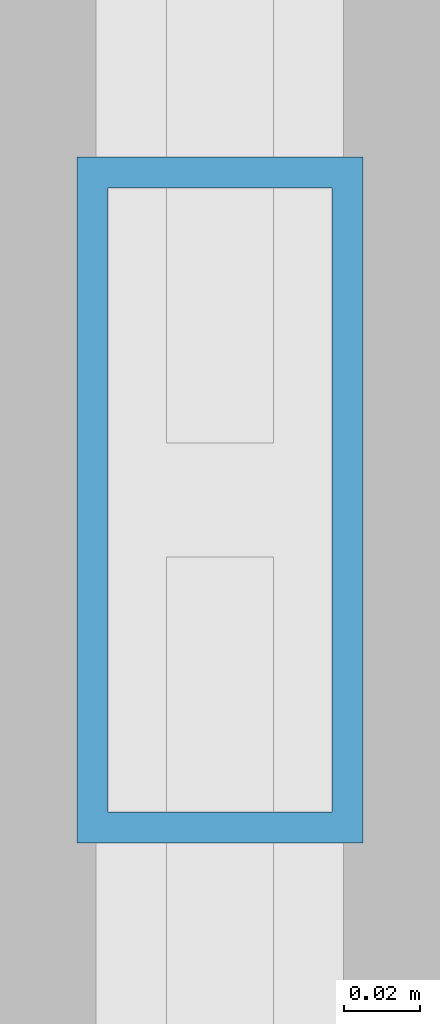
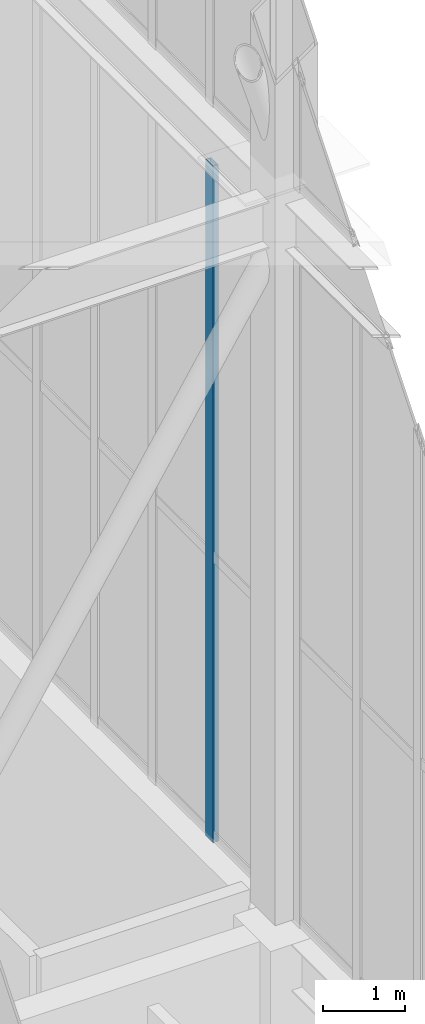
# One storey, part 94 of 135: 1 member, 1 element without a shape of its own.
"""IFC4 building model written with IfcOpenShell, lengths in metres."""

import ifcopenshell
import ifcopenshell.guid

model = None  # the IFC model being written
_history = None  # IfcOwnerHistory: only IFC2X3 demands one
_inside = {}  # id of a spatial element -> (the spatial element, [elements in it])
_under = {}  # id of a project, library or spatial element -> (it, [spatial elements below it])
_declared = {}  # id of a project -> (the project, [libraries it declares])
_typed = {}  # id of a type object -> (the type object, [elements of that type])
_made_of = {}  # id of a material, layer set ... -> (it, [elements and type objects made of it])


def new_model(schema):
    """Start an empty IFC model of exactly this schema.

    Asked for "IFC4X3", IfcOpenShell would pick the latest addendum, in which some entities
    have other attributes; the version numbers below select the first issue.
    IFC2X3 requires an IfcOwnerHistory on every rooted entity: one is made here for all.
    """
    global model, _history
    if schema == "IFC4X3":
        model = ifcopenshell.file(schema_version=(4, 3, 0, 0))
    else:
        model = ifcopenshell.file(schema=schema)
    _inside.clear()
    _under.clear()
    _declared.clear()
    _typed.clear()
    _made_of.clear()
    _history = None
    if model.schema == "IFC2X3":
        org = make("IfcOrganization", Name="unknown")
        user = make(
            "IfcPersonAndOrganization",
            ThePerson=make("IfcPerson", FamilyName="unknown"),
            TheOrganization=org,
        )
        app = make(
            "IfcApplication",
            ApplicationDeveloper=org,
            Version="unknown",
            ApplicationFullName="unknown",
            ApplicationIdentifier="unknown",
        )
        _history = make(
            "IfcOwnerHistory",
            OwningUser=user,
            OwningApplication=app,
            ChangeAction="ADDED",
            CreationDate=0,
        )
    return model


def make(cls, **values):
    """One entity of the class cls with the attributes given. An attribute that is None is left unset."""
    return model.create_entity(
        cls, **{name: value for name, value in values.items() if value is not None}
    )


def rooted(cls, **values):
    """An entity with a GlobalId (a new one), such as an element, a storey or a relation."""
    return make(cls, GlobalId=ifcopenshell.guid.new(), OwnerHistory=_history, **values)


def si_unit(unit_type, name, prefix=None):
    """IfcSIUnit, for example si_unit("LENGTHUNIT", "METRE", prefix="MILLI")."""
    return make("IfcSIUnit", UnitType=unit_type, Prefix=prefix, Name=name)


def assignment(units):
    """IfcUnitAssignment: the units of a project."""
    return None if units is None else make("IfcUnitAssignment", Units=units)


def point(xyz):
    """IfcCartesianPoint."""
    return None if xyz is None else make("IfcCartesianPoint", Coordinates=xyz)


def direction(xyz):
    """IfcDirection."""
    return None if xyz is None else make("IfcDirection", DirectionRatios=xyz)


def frame(location, z_axis=None, x_axis=None):
    """IfcAxis2Placement3D, a coordinate frame: its origin and axes. An axis left out is left unset."""
    return make(
        "IfcAxis2Placement3D",
        Location=point(location),
        Axis=direction(z_axis),
        RefDirection=direction(x_axis),
    )


def frame_2d(location, x_axis=None):
    """IfcAxis2Placement2D, a coordinate frame in the plane: its origin and x axis."""
    return make(
        "IfcAxis2Placement2D", Location=point(location), RefDirection=direction(x_axis)
    )


def origin():
    """The frame at (0, 0, 0) with its axes left unset."""
    return frame((0.0, 0.0, 0.0))


def origin_2d():
    """The frame at (0, 0) in the plane with its x axis left unset."""
    return frame_2d((0.0, 0.0))


def place(relative_to, where):
    """IfcLocalPlacement: puts the frame where relative to a parent placement (None: the world)."""
    return make(
        "IfcLocalPlacement", PlacementRelTo=relative_to, RelativePlacement=where
    )


def context(
    kind, dimensions, precision=None, world=None, true_north=None, identifier=None
):
    """IfcGeometricRepresentationContext, for example the 3D "Model" context."""
    return make(
        "IfcGeometricRepresentationContext",
        ContextIdentifier=identifier,
        ContextType=kind,
        CoordinateSpaceDimension=dimensions,
        Precision=precision,
        WorldCoordinateSystem=world,
        TrueNorth=true_north,
    )


def subcontext(parent, identifier, kind, view, scale=None):
    """IfcGeometricRepresentationSubContext, for example "Body" below "Model"."""
    return make(
        "IfcGeometricRepresentationSubContext",
        ContextIdentifier=identifier,
        ContextType=kind,
        ParentContext=parent,
        TargetScale=scale,
        TargetView=view,
    )


def project(units=None, contexts=None):
    """IfcProject with its units and contexts."""
    return rooted(
        "IfcProject",
        Name="project",
        RepresentationContexts=contexts,
        UnitsInContext=assignment(units),
    )


def spatial(cls, under=None, at=None, **own):
    """A site, building, storey or space (cls), placed at a placement, below another one or the project."""
    s = rooted(cls, ObjectPlacement=at, **own)
    if under is not None:
        _under.setdefault(under.id(), (under, []))[1].append(s)
    return s


def profile(cls, at=None, kind="AREA", **sizes):
    """A parametric profile (cls). Its sizes go by their IFC names, for example OverallWidth=200.0."""
    return make(cls, ProfileType=kind, Position=at, **sizes)


def hollow_rectangle(**sizes):
    """IfcRectangleHollowProfileDef."""
    return profile("IfcRectangleHollowProfileDef", **sizes)


def extrude(swept, where, along, depth):
    """IfcExtrudedAreaSolid: the profile swept, set in the frame where, extruded along a direction by depth."""
    return make(
        "IfcExtrudedAreaSolid",
        SweptArea=swept,
        Position=where,
        ExtrudedDirection=direction(along),
        Depth=depth,
    )


def shape(context_of_items, identifier, shape_type, items):
    """IfcShapeRepresentation: the items that make up one representation, for example the "Body"."""
    return make(
        "IfcShapeRepresentation",
        ContextOfItems=context_of_items,
        RepresentationIdentifier=identifier,
        RepresentationType=shape_type,
        Items=items,
    )


def source(mapping_origin, context_of_items, identifier, shape_type, items):
    """IfcRepresentationMap: a shape defined once, which mapped items show again and again."""
    return make(
        "IfcRepresentationMap",
        MappingOrigin=mapping_origin,
        MappedRepresentation=shape(context_of_items, identifier, shape_type, items),
    )


def transform(
    local_origin,
    x_axis=None,
    y_axis=None,
    z_axis=None,
    scale=None,
    scale2=None,
    scale3=None,
    uniform=True,
):
    """IfcCartesianTransformationOperator3D, or its non-uniform kind. x_axis, y_axis, z_axis: its Axis1, 2, 3."""
    if uniform:
        return make(
            "IfcCartesianTransformationOperator3D",
            Axis1=direction(x_axis),
            Axis2=direction(y_axis),
            LocalOrigin=point(local_origin),
            Scale=scale,
            Axis3=direction(z_axis),
        )
    return make(
        "IfcCartesianTransformationOperator3DnonUniform",
        Axis1=direction(x_axis),
        Axis2=direction(y_axis),
        LocalOrigin=point(local_origin),
        Scale=scale,
        Axis3=direction(z_axis),
        Scale2=scale2,
        Scale3=scale3,
    )


def mapped(mapping_source, mapping_target):
    """IfcMappedItem: shows the shape of a source again, moved by a transform."""
    return make(
        "IfcMappedItem", MappingSource=mapping_source, MappingTarget=mapping_target
    )


def material(Name=None, Category=None):
    """IfcMaterial."""
    return make("IfcMaterial", Name=Name, Category=Category)


def layer(
    of_material, thickness, ventilated=None, Name=None, Category=None, Priority=None
):
    """IfcMaterialLayer: one layer of a wall or slab, of a material (None: an air gap)."""
    return make(
        "IfcMaterialLayer",
        Material=of_material,
        LayerThickness=thickness,
        IsVentilated=ventilated,
        Name=Name,
        Category=Category,
        Priority=Priority,
    )


def layer_set(layers, Name=None):
    """IfcMaterialLayerSet."""
    return make("IfcMaterialLayerSet", MaterialLayers=layers, LayerSetName=Name)


def material_profile(
    of_material, cross_section, Name=None, Category=None, Priority=None
):
    """IfcMaterialProfile: a cross section and its material."""
    return make(
        "IfcMaterialProfile",
        Name=Name,
        Material=of_material,
        Profile=cross_section,
        Priority=Priority,
        Category=Category,
    )


def profile_set(profiles, Name=None, composite=None):
    """IfcMaterialProfileSet."""
    return make(
        "IfcMaterialProfileSet",
        Name=Name,
        MaterialProfiles=profiles,
        CompositeProfile=composite,
    )


def made_of(thing, what):
    """Note that an element or type object is made of a material, layer set ...; save() writes the relation."""
    if what is not None:
        _made_of.setdefault(what.id(), (what, []))[1].append(thing)
    return thing


def type_object(cls, material=None, **own):
    """A type object (cls), such as IfcWallType, which elements share."""
    return made_of(rooted(cls, **own), material)


def element(
    cls,
    number,
    at=None,
    inside=None,
    cuts=None,
    type_object=None,
    material=None,
    context=None,
    identifier="Body",
    shape_type=None,
    held_by="IfcProductDefinitionShape",
    body=None,
    shapes=None,
    **own,
):
    """One element of the class cls, such as IfcWall. Its Tag is "e" and its number.

    at: its placement. inside: the storey or other place that contains it. cuts: it is an
    opening in that element (IfcRelVoidsElement). A single representation is given by context,
    identifier, shape_type and body (its items); several are given by shapes. held_by: the class
    of the entity that holds the representations. save() writes the other relations.
    """
    e = rooted(cls, Tag="e%d" % number, ObjectPlacement=at, **own)
    if body is not None:
        shapes = [shape(context, identifier, shape_type, body)]
    if shapes is not None:
        e.Representation = make(held_by, Representations=shapes)
    if inside is not None:
        _inside.setdefault(inside.id(), (inside, []))[1].append(e)
    if cuts is not None:
        rooted(
            "IfcRelVoidsElement", RelatingBuildingElement=cuts, RelatedOpeningElement=e
        )
    if type_object is not None:
        _typed.setdefault(type_object.id(), (type_object, []))[1].append(e)
    return made_of(e, material)


def aggregate(whole, parts):
    """IfcRelAggregates: a whole, such as a stair, and the parts it consists of."""
    return rooted("IfcRelAggregates", RelatingObject=whole, RelatedObjects=parts)


def save(model, path):
    """Write the relations noted so far, then the file.

    IfcRelAggregates (storeys below a building ...), IfcRelContainedInSpatialStructure (elements
    in a storey), IfcRelDefinesByType, IfcRelAssociatesMaterial and IfcRelDeclares: one each for
    every whole, place, type object, material and project.
    """
    for whole, parts in _under.values():
        aggregate(whole, parts)
    for where, things in _inside.values():
        rooted(
            "IfcRelContainedInSpatialStructure",
            RelatedElements=things,
            RelatingStructure=where,
        )
    for kind, things in _typed.values():
        rooted("IfcRelDefinesByType", RelatedObjects=things, RelatingType=kind)
    for what, things in _made_of.values():
        rooted("IfcRelAssociatesMaterial", RelatedObjects=things, RelatingMaterial=what)
    for by, libraries in _declared.values():
        rooted("IfcRelDeclares", RelatingContext=by, RelatedDefinitions=libraries)
    model.write(path)


model = new_model("IFC4")

# Units and contexts
model_context = context("Model", 3, precision=1e-05, world=origin(), true_north=direction((0.0, 1.0)))
body_context = subcontext(model_context, "Body", "Model", "MODEL_VIEW")
ifc_project = project(units=[si_unit("LENGTHUNIT", "METRE"), si_unit("AREAUNIT", "SQUARE_METRE"), si_unit("VOLUMEUNIT", "CUBIC_METRE"), si_unit("PLANEANGLEUNIT", "RADIAN"), si_unit("MASSUNIT", "GRAM", prefix="KILO")], contexts=[model_context])

# Site, building, storey
site_placement = place(None, origin())
site = spatial("IfcSite", under=ifc_project, at=site_placement, CompositionType="ELEMENT")
building_placement = place(site_placement, origin())
building = spatial("IfcBuilding", under=site, at=building_placement, Name="Giltprow Tower", CompositionType="ELEMENT")
storey_placement = place(building_placement, frame((0.0, 0.0, 352.699951171875)))
storey = spatial("IfcBuildingStorey", under=building, at=storey_placement, Name="L92", CompositionType="ELEMENT", Elevation=352.699951171875)

# Curtain wall, member
ifc_material = material(Name="Anodized bronze", Category="metal")
ifc_layer = layer(ifc_material, 0.179931640625, Name="Anodized bronze")
ifc_layer_set = layer_set([ifc_layer], Name="Anodized bronze")
curtain_wall_type = type_object("IfcCurtainWallType", Name="CW-CROWN-LANTERN", PredefinedType="NOTDEFINED", material=ifc_layer_set)
curtain_wall_placement = place(storey_placement, origin())
curtain_wall = element("IfcCurtainWall", 1, at=curtain_wall_placement, inside=storey, type_object=curtain_wall_type, Name="Crown East Lower Lantern Glazing 3", PredefinedType="NOTDEFINED")
ifc_material_profile = material_profile(ifc_material, hollow_rectangle(XDim=0.074951171875, YDim=0.179931640625, WallThickness=0.008056640625, at=origin_2d()), Name="RHS 180x75x8")
ifc_profile_set = profile_set([ifc_material_profile], Name="Anodized bronze")
member_type = type_object("IfcMemberType", Name="CW-MULLION-180x75", PredefinedType="MULLION", material=ifc_profile_set)
shared_shape = source(origin(), body_context, "Body", "SweptSolid", [
    extrude(hollow_rectangle(XDim=0.074951171875, YDim=0.179931640625, WallThickness=0.008056640625, at=origin_2d()), origin(), (0.0, 0.0, 1.0), 10.030029296875),
])
member_placement = place(storey_placement, frame((50.550048828125, 39.199951171875, 6.35009765625), z_axis=(0.0, 0.0, 1.0), x_axis=(1.0, 0.0, 0.0)))
member = element("IfcMember", 2, at=member_placement, type_object=member_type, Name="Crown East Lower Lantern Glazing 3 Mullion 2", PredefinedType="MULLION", context=body_context, shape_type="MappedRepresentation", body=[
    mapped(shared_shape, transform((0.0, 0.0, 0.0), x_axis=(1.0, 0.0, 0.0), y_axis=(0.0, 1.0, 0.0), z_axis=(0.0, 0.0, 1.0), scale=1.0)),
])
aggregate(curtain_wall, [member])

save(model, "model.ifc")
